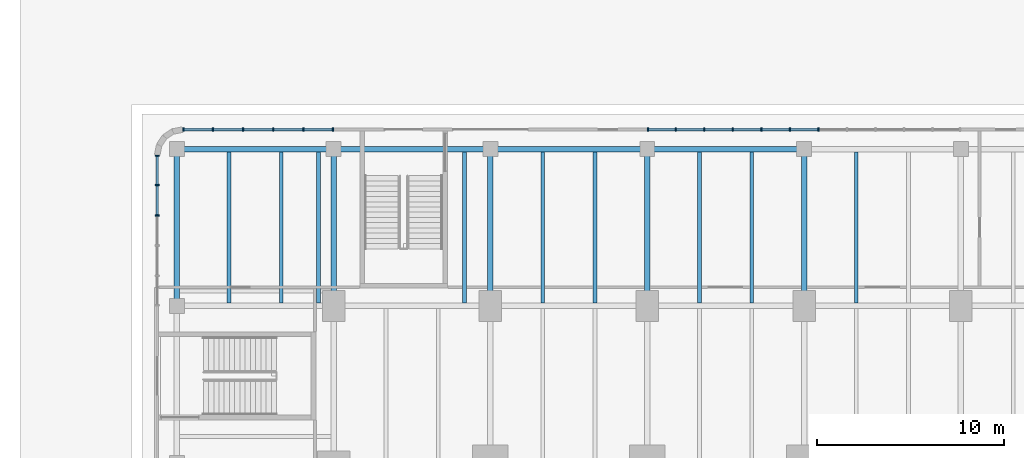
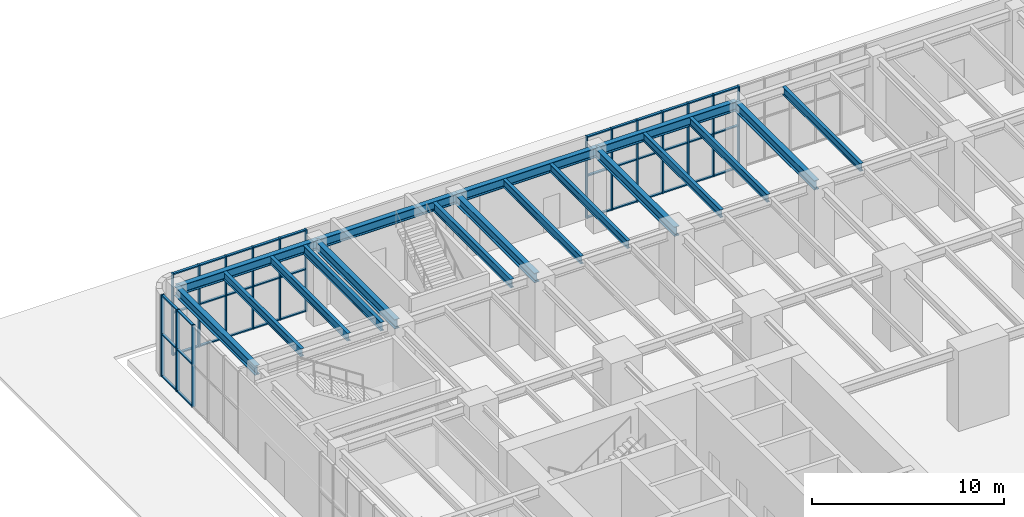
# One storey, part 11 of 31: 55 members, 18 beams, 3 elements without a shape of their own.
"""IFC4 building model written with IfcOpenShell, lengths in metres."""

from ifc_helpers import new_model, si_unit, direction, frame, origin, origin_2d, place, context, subcontext, project, spatial, rectangle, i_section, extrude, material, material_profile, profile_set, type_object, element, aggregate, save


model = new_model("IFC4")

# Units and contexts
model_context = context("Model", 3, precision=1e-05, world=origin(), true_north=direction((0.0, 1.0)))
body_context = subcontext(model_context, "Body", "Model", "MODEL_VIEW")
ifc_project = project(units=[si_unit("LENGTHUNIT", "METRE"), si_unit("AREAUNIT", "SQUARE_METRE"), si_unit("VOLUMEUNIT", "CUBIC_METRE"), si_unit("PLANEANGLEUNIT", "RADIAN"), si_unit("MASSUNIT", "GRAM", prefix="KILO")], contexts=[model_context])

# Site, building, storey
site_placement = place(None, origin())
site = spatial("IfcSite", under=ifc_project, at=site_placement, CompositionType="ELEMENT")
building_placement = place(site_placement, origin())
building = spatial("IfcBuilding", under=site, at=building_placement, Name="Claustro Exchange Tower", CompositionType="ELEMENT")
storey_placement = place(building_placement, origin())
storey = spatial("IfcBuildingStorey", under=building, at=storey_placement, Name="L00", CompositionType="ELEMENT", Elevation=0.0)

# Beams
ifc_material_1 = material(Name="Steel S355", Category="steel")
ifc_material_profile_1 = material_profile(ifc_material_1, i_section(OverallWidth=0.300048828125, OverallDepth=0.60009765625, WebThickness=0.015380859375, FlangeThickness=0.030029296875, FilletRadius=0.027099609375, at=origin_2d()), Name="HE 600 B")
ifc_profile_set_1 = profile_set([ifc_material_profile_1], Name="Steel S355")
beam_type_1 = type_object("IfcBeamType", Name="B1 HE 600 B floor girder", PredefinedType="BEAM", material=ifc_profile_set_1)
for number, where, z_axis, x_axis, name in (
    (1, (-8.39990234375, 50.39990234375, 4.89990234375), (0.0, 1.0, 0.0), (-1.0, 0.0, 0.0), "Beam B1 L01"),
    (2, (0.0, 50.39990234375, 4.89990234375), (0.0, 1.0, 0.0), (-1.0, 0.0, 0.0), "Beam B1 L01"),
    (3, (8.39990234375, 50.39990234375, 4.89990234375), (0.0, 1.0, 0.0), (-1.0, 0.0, 0.0), "Beam B1 L01"),
    (4, (16.800048828125, 50.39990234375, 4.89990234375), (0.0, 1.0, 0.0), (-1.0, 0.0, 0.0), "Beam B1 L01"),
    (5, (25.199951171875, 50.39990234375, 4.89990234375), (0.0, 1.0, 0.0), (-1.0, 0.0, 0.0), "Beam B1 L01"),
):
    element("IfcBeam", number, at=place(storey_placement, frame(where, z_axis=z_axis, x_axis=x_axis)), inside=storey, type_object=beam_type_1, Name=name, PredefinedType="BEAM", context=body_context, shape_type="SweptSolid", body=[
        extrude(i_section(OverallWidth=0.300048828125, OverallDepth=0.60009765625, WebThickness=0.015380859375, FlangeThickness=0.030029296875, FilletRadius=0.027099609375, at=origin_2d()), origin(), (0.0, 0.0, 1.0), 8.400146484375),
    ])
for number, where, z_axis, x_axis, name in (
    (6, (-8.39990234375, 58.800048828125, 4.89990234375), (1.0, 0.0, 0.0), (0.0, 1.0, 0.0), "Beam B1 L01"),
    (7, (0.0, 58.800048828125, 4.89990234375), (1.0, 0.0, 0.0), (0.0, 1.0, 0.0), "Beam B1 L01"),
):
    element("IfcBeam", number, at=place(storey_placement, frame(where, z_axis=z_axis, x_axis=x_axis)), inside=storey, type_object=beam_type_1, Name=name, PredefinedType="BEAM", context=body_context, shape_type="SweptSolid", body=[
        extrude(i_section(OverallWidth=0.300048828125, OverallDepth=0.60009765625, WebThickness=0.015380859375, FlangeThickness=0.030029296875, FilletRadius=0.027099609375, at=origin_2d()), origin(), (0.0, 0.0, 1.0), 8.39990234375),
    ])
beam_1_placement = place(storey_placement, frame((8.39990234375, 58.800048828125, 4.89990234375), z_axis=(1.0, 0.0, 0.0), x_axis=(0.0, 1.0, 0.0)))
element("IfcBeam", 8, at=beam_1_placement, inside=storey, type_object=beam_type_1, Name="Beam B1 L01", PredefinedType="BEAM", context=body_context, shape_type="SweptSolid", body=[
    extrude(i_section(OverallWidth=0.300048828125, OverallDepth=0.60009765625, WebThickness=0.015380859375, FlangeThickness=0.030029296875, FilletRadius=0.027099609375, at=origin_2d()), origin(), (0.0, 0.0, 1.0), 8.400146484375),
])
beam_2_placement = place(storey_placement, frame((16.800048828125, 58.800048828125, 4.89990234375), z_axis=(1.0, 0.0, 0.0), x_axis=(0.0, 1.0, 0.0)))
element("IfcBeam", 9, at=beam_2_placement, inside=storey, type_object=beam_type_1, Name="Beam B1 L01", PredefinedType="BEAM", context=body_context, shape_type="SweptSolid", body=[
    extrude(i_section(OverallWidth=0.300048828125, OverallDepth=0.60009765625, WebThickness=0.015380859375, FlangeThickness=0.030029296875, FilletRadius=0.027099609375, at=origin_2d()), origin(), (0.0, 0.0, 1.0), 8.39990234375),
])
ifc_material_2 = material(Name="Steel S355", Category="steel")
ifc_material_profile_2 = material_profile(ifc_material_2, i_section(OverallWidth=0.199951171875, OverallDepth=0.5, WebThickness=0.01025390625, FlangeThickness=0.01611328125, FilletRadius=0.02099609375, at=origin_2d()), Name="IPE 500")
ifc_profile_set_2 = profile_set([ifc_material_profile_2], Name="Steel S355")
beam_type_2 = type_object("IfcBeamType", Name="B2 IPE 500 secondary beam", PredefinedType="BEAM", material=ifc_profile_set_2)
for number, where, z_axis, x_axis, name in (
    (10, (-5.60009765625, 50.550048828125, 4.949951171875), (0.0, 1.0, 0.0), (-1.0, 0.0, 0.0), "Beam B2 L01"),
    (11, (-2.800048828125, 50.550048828125, 4.949951171875), (0.0, 1.0, 0.0), (-1.0, 0.0, 0.0), "Beam B2 L01"),
    (12, (11.199951171875, 50.550048828125, 4.949951171875), (0.0, 1.0, 0.0), (-1.0, 0.0, 0.0), "Beam B2 L01"),
    (13, (14.0, 50.550048828125, 4.949951171875), (0.0, 1.0, 0.0), (-1.0, 0.0, 0.0), "Beam B2 L01"),
    (14, (19.60009765625, 50.550048828125, 4.949951171875), (0.0, 1.0, 0.0), (-1.0, 0.0, 0.0), "Beam B2 L01"),
    (15, (22.39990234375, 50.550048828125, 4.949951171875), (0.0, 1.0, 0.0), (-1.0, 0.0, 0.0), "Beam B2 L01"),
    (16, (28.0, 50.550048828125, 4.949951171875), (0.0, 1.0, 0.0), (-1.0, 0.0, 0.0), "Beam B2 L01"),
):
    element("IfcBeam", number, at=place(storey_placement, frame(where, z_axis=z_axis, x_axis=x_axis)), inside=storey, type_object=beam_type_2, Name=name, PredefinedType="BEAM", context=body_context, shape_type="SweptSolid", body=[
        extrude(i_section(OverallWidth=0.199951171875, OverallDepth=0.5, WebThickness=0.01025390625, FlangeThickness=0.01611328125, FilletRadius=0.02099609375, at=origin_2d()), origin(), (0.0, 0.0, 1.0), 8.099853515625),
    ])
ifc_material_3 = material(Name="Steel S355", Category="steel")
ifc_material_profile_3 = material_profile(ifc_material_3, i_section(OverallWidth=0.2099609375, OverallDepth=0.550048828125, WebThickness=0.010986328125, FlangeThickness=0.01708984375, FilletRadius=0.02392578125, at=origin_2d()), Name="IPE 550")
ifc_profile_set_3 = profile_set([ifc_material_profile_3], Name="Steel S355")
beam_type_3 = type_object("IfcBeamType", Name="B28 IPE 550 podium stair trimmer", PredefinedType="BEAM", material=ifc_profile_set_3)
for number, where, z_axis, x_axis, name in (
    (17, (7.0, 50.550048828125, 4.925048828125), (0.0, 1.0, 0.0), (-1.0, 0.0, 0.0), "Beam B28 trimmer STP3 L01"),
    (18, (-0.800048828125, 50.550048828125, 4.925048828125), (0.0, 1.0, 0.0), (-1.0, 0.0, 0.0), "Beam B28 trimmer STP3 L01"),
):
    element("IfcBeam", number, at=place(storey_placement, frame(where, z_axis=z_axis, x_axis=x_axis)), inside=storey, type_object=beam_type_3, Name=name, PredefinedType="BEAM", context=body_context, shape_type="SweptSolid", body=[
        extrude(i_section(OverallWidth=0.2099609375, OverallDepth=0.550048828125, WebThickness=0.010986328125, FlangeThickness=0.01708984375, FilletRadius=0.02392578125, at=origin_2d()), origin(), (0.0, 0.0, 1.0), 8.099853515625),
    ])

# Curtain wall, members
ifc_material_4 = material(Name="Aluminium frame, clear double glazing", Category="aluminium")
curtain_wall_type = type_object("IfcCurtainWallType", Name="CW1 storefront curtain wall", PredefinedType="USERDEFINED", material=ifc_material_4)
curtain_wall_1_placement = place(storey_placement, origin())
curtain_wall_1 = element("IfcCurtainWall", 19, at=curtain_wall_1_placement, inside=storey, type_object=curtain_wall_type, Name="Curtain wall CW1 L00", ObjectType="STICK CURTAIN WALL", PredefinedType="USERDEFINED")
ifc_material_5 = material(Name="Aluminium mullion", Category="aluminium")
ifc_material_profile_4 = material_profile(ifc_material_5, rectangle(XDim=0.199951171875, YDim=0.074951171875, at=origin_2d()), Name="CW1-M 75x200")
ifc_profile_set_4 = profile_set([ifc_material_profile_4], Name="Aluminium mullion")
member_type_1 = type_object("IfcMemberType", Name="CW1-M 75 x 200 mullion", PredefinedType="MULLION", material=ifc_profile_set_4)
member_1_placement = place(storey_placement, frame((-9.449951171875, 55.251220703125, 0.0), z_axis=(0.0, 0.0, 1.0), x_axis=(-1.0, 0.0, 0.0)))
member_1 = element("IfcMember", 20, at=member_1_placement, type_object=member_type_1, Name="CW1 mullion 4", PredefinedType="MULLION", context=body_context, shape_type="SweptSolid", body=[
    extrude(rectangle(XDim=0.199951171875, YDim=0.074951171875, at=origin_2d()), origin(), (0.0, 0.0, 1.0), 5.199951171875),
])
member_2_placement = place(storey_placement, frame((-9.449951171875, 56.8681640625, 0.0), z_axis=(0.0, 0.0, 1.0), x_axis=(-1.0, 0.0, 0.0)))
member_2 = element("IfcMember", 21, at=member_2_placement, type_object=member_type_1, Name="CW1 mullion 5", PredefinedType="MULLION", context=body_context, shape_type="SweptSolid", body=[
    extrude(rectangle(XDim=0.199951171875, YDim=0.074951171875, at=origin_2d()), origin(), (0.0, 0.0, 1.0), 5.199951171875),
])
member_3_placement = place(storey_placement, frame((-9.449951171875, 58.44775390625, 0.0), z_axis=(0.0, 0.0, 1.0), x_axis=(-1.0, 0.0, 0.0)))
member_3 = element("IfcMember", 22, at=member_3_placement, type_object=member_type_1, Name="CW1 mullion 6", PredefinedType="MULLION", context=body_context, shape_type="SweptSolid", body=[
    extrude(rectangle(XDim=0.199951171875, YDim=0.074951171875, at=origin_2d()), origin(), (0.0, 0.0, 1.0), 5.199951171875),
])

curtain_wall_2_placement = place(storey_placement, origin())
curtain_wall_2 = element("IfcCurtainWall", 23, at=curtain_wall_2_placement, inside=storey, type_object=curtain_wall_type, Name="Curtain wall CW1 L00", ObjectType="STICK CURTAIN WALL", PredefinedType="USERDEFINED")
member_4_placement = place(storey_placement, frame((-8.047607421875, 59.85009765625, 0.0), z_axis=(0.0, 0.0, 1.0), x_axis=(0.0, 1.0, 0.0)))
member_4 = element("IfcMember", 24, at=member_4_placement, type_object=member_type_1, Name="CW1 mullion 1", PredefinedType="MULLION", context=body_context, shape_type="SweptSolid", body=[
    extrude(rectangle(XDim=0.199951171875, YDim=0.074951171875, at=origin_2d()), origin(), (0.0, 0.0, 1.0), 5.199951171875),
])
member_5_placement = place(storey_placement, frame((-6.46826171875, 59.85009765625, 0.0), z_axis=(0.0, 0.0, 1.0), x_axis=(0.0, 1.0, 0.0)))
member_5 = element("IfcMember", 25, at=member_5_placement, type_object=member_type_1, Name="CW1 mullion 2", PredefinedType="MULLION", context=body_context, shape_type="SweptSolid", body=[
    extrude(rectangle(XDim=0.199951171875, YDim=0.074951171875, at=origin_2d()), origin(), (0.0, 0.0, 1.0), 5.199951171875),
])
member_6_placement = place(storey_placement, frame((-4.85107421875, 59.85009765625, 0.0), z_axis=(0.0, 0.0, 1.0), x_axis=(0.0, 1.0, 0.0)))
member_6 = element("IfcMember", 26, at=member_6_placement, type_object=member_type_1, Name="CW1 mullion 3", PredefinedType="MULLION", context=body_context, shape_type="SweptSolid", body=[
    extrude(rectangle(XDim=0.199951171875, YDim=0.074951171875, at=origin_2d()), origin(), (0.0, 0.0, 1.0), 5.199951171875),
])
member_7_placement = place(storey_placement, frame((-3.234130859375, 59.85009765625, 0.0), z_axis=(0.0, 0.0, 1.0), x_axis=(0.0, 1.0, 0.0)))
member_7 = element("IfcMember", 27, at=member_7_placement, type_object=member_type_1, Name="CW1 mullion 4", PredefinedType="MULLION", context=body_context, shape_type="SweptSolid", body=[
    extrude(rectangle(XDim=0.199951171875, YDim=0.074951171875, at=origin_2d()), origin(), (0.0, 0.0, 1.0), 5.199951171875),
])
member_8_placement = place(storey_placement, frame((-1.616943359375, 59.85009765625, 0.0), z_axis=(0.0, 0.0, 1.0), x_axis=(0.0, 1.0, 0.0)))
member_8 = element("IfcMember", 28, at=member_8_placement, type_object=member_type_1, Name="CW1 mullion 5", PredefinedType="MULLION", context=body_context, shape_type="SweptSolid", body=[
    extrude(rectangle(XDim=0.199951171875, YDim=0.074951171875, at=origin_2d()), origin(), (0.0, 0.0, 1.0), 5.199951171875),
])
member_9_placement = place(storey_placement, frame((-0.03759765625, 59.85009765625, 0.0), z_axis=(0.0, 0.0, 1.0), x_axis=(0.0, 1.0, 0.0)))
member_9 = element("IfcMember", 29, at=member_9_placement, type_object=member_type_1, Name="CW1 mullion 6", PredefinedType="MULLION", context=body_context, shape_type="SweptSolid", body=[
    extrude(rectangle(XDim=0.199951171875, YDim=0.074951171875, at=origin_2d()), origin(), (0.0, 0.0, 1.0), 5.199951171875),
])

curtain_wall_3_placement = place(storey_placement, origin())
curtain_wall_3 = element("IfcCurtainWall", 30, at=curtain_wall_3_placement, inside=storey, type_object=curtain_wall_type, Name="Curtain wall CW1 L00", ObjectType="STICK CURTAIN WALL", PredefinedType="USERDEFINED")
member_10_placement = place(storey_placement, frame((16.83740234375, 59.85009765625, 0.0), z_axis=(0.0, 0.0, 1.0), x_axis=(0.0, 1.0, 0.0)))
member_10 = element("IfcMember", 31, at=member_10_placement, type_object=member_type_1, Name="CW1 mullion 1", PredefinedType="MULLION", context=body_context, shape_type="SweptSolid", body=[
    extrude(rectangle(XDim=0.199951171875, YDim=0.074951171875, at=origin_2d()), origin(), (0.0, 0.0, 1.0), 5.199951171875),
])
member_11_placement = place(storey_placement, frame((18.327392578125, 59.85009765625, 0.0), z_axis=(0.0, 0.0, 1.0), x_axis=(0.0, 1.0, 0.0)))
member_11 = element("IfcMember", 32, at=member_11_placement, type_object=member_type_1, Name="CW1 mullion 2", PredefinedType="MULLION", context=body_context, shape_type="SweptSolid", body=[
    extrude(rectangle(XDim=0.199951171875, YDim=0.074951171875, at=origin_2d()), origin(), (0.0, 0.0, 1.0), 5.199951171875),
])
member_12_placement = place(storey_placement, frame((19.8544921875, 59.85009765625, 0.0), z_axis=(0.0, 0.0, 1.0), x_axis=(0.0, 1.0, 0.0)))
member_12 = element("IfcMember", 33, at=member_12_placement, type_object=member_type_1, Name="CW1 mullion 3", PredefinedType="MULLION", context=body_context, shape_type="SweptSolid", body=[
    extrude(rectangle(XDim=0.199951171875, YDim=0.074951171875, at=origin_2d()), origin(), (0.0, 0.0, 1.0), 5.199951171875),
])
member_13_placement = place(storey_placement, frame((21.3818359375, 59.85009765625, 0.0), z_axis=(0.0, 0.0, 1.0), x_axis=(0.0, 1.0, 0.0)))
member_13 = element("IfcMember", 34, at=member_13_placement, type_object=member_type_1, Name="CW1 mullion 4", PredefinedType="MULLION", context=body_context, shape_type="SweptSolid", body=[
    extrude(rectangle(XDim=0.199951171875, YDim=0.074951171875, at=origin_2d()), origin(), (0.0, 0.0, 1.0), 5.199951171875),
])
member_14_placement = place(storey_placement, frame((22.9091796875, 59.85009765625, 0.0), z_axis=(0.0, 0.0, 1.0), x_axis=(0.0, 1.0, 0.0)))
member_14 = element("IfcMember", 35, at=member_14_placement, type_object=member_type_1, Name="CW1 mullion 5", PredefinedType="MULLION", context=body_context, shape_type="SweptSolid", body=[
    extrude(rectangle(XDim=0.199951171875, YDim=0.074951171875, at=origin_2d()), origin(), (0.0, 0.0, 1.0), 5.199951171875),
])
member_15_placement = place(storey_placement, frame((24.436279296875, 59.85009765625, 0.0), z_axis=(0.0, 0.0, 1.0), x_axis=(0.0, 1.0, 0.0)))
member_15 = element("IfcMember", 36, at=member_15_placement, type_object=member_type_1, Name="CW1 mullion 6", PredefinedType="MULLION", context=body_context, shape_type="SweptSolid", body=[
    extrude(rectangle(XDim=0.199951171875, YDim=0.074951171875, at=origin_2d()), origin(), (0.0, 0.0, 1.0), 5.199951171875),
])
member_16_placement = place(storey_placement, frame((25.963623046875, 59.85009765625, 0.0), z_axis=(0.0, 0.0, 1.0), x_axis=(0.0, 1.0, 0.0)))
member_16 = element("IfcMember", 37, at=member_16_placement, type_object=member_type_1, Name="CW1 mullion 7", PredefinedType="MULLION", context=body_context, shape_type="SweptSolid", body=[
    extrude(rectangle(XDim=0.199951171875, YDim=0.074951171875, at=origin_2d()), origin(), (0.0, 0.0, 1.0), 5.199951171875),
])

# Member
ifc_material_6 = material(Name="Aluminium transom", Category="aluminium")
ifc_material_profile_5 = material_profile(ifc_material_6, rectangle(XDim=0.14990234375, YDim=0.074951171875, at=origin_2d()), Name="CW1-T 75x150")
ifc_profile_set_5 = profile_set([ifc_material_profile_5], Name="Aluminium transom")
member_type_2 = type_object("IfcMemberType", Name="CW1-T 75 x 150 transom", PredefinedType="USERDEFINED", material=ifc_profile_set_5)
member_17_placement = place(storey_placement, frame((-9.449951171875, 55.28857421875, 0.03759765625), z_axis=(0.0, 1.0, 0.0), x_axis=(-1.0, 0.0, 0.0)))
member_17 = element("IfcMember", 38, at=member_17_placement, type_object=member_type_2, Name="CW1 transom 4.1", ObjectType="TRANSOM", PredefinedType="USERDEFINED", context=body_context, shape_type="SweptSolid", body=[
    extrude(rectangle(XDim=0.14990234375, YDim=0.074951171875, at=origin_2d()), origin(), (0.0, 0.0, 1.0), 1.5419921875),
])

member_18_placement = place(storey_placement, frame((-9.449951171875, 55.28857421875, 2.699951171875), z_axis=(0.0, 1.0, 0.0), x_axis=(-1.0, 0.0, 0.0)))
member_18 = element("IfcMember", 39, at=member_18_placement, type_object=member_type_2, Name="CW1 transom 4.2", ObjectType="TRANSOM", PredefinedType="USERDEFINED", context=body_context, shape_type="SweptSolid", body=[
    extrude(rectangle(XDim=0.14990234375, YDim=0.074951171875, at=origin_2d()), origin(), (0.0, 0.0, 1.0), 1.5419921875),
])

member_19_placement = place(storey_placement, frame((-9.449951171875, 55.28857421875, 5.16259765625), z_axis=(0.0, 1.0, 0.0), x_axis=(-1.0, 0.0, 0.0)))
member_19 = element("IfcMember", 40, at=member_19_placement, type_object=member_type_2, Name="CW1 transom 4.3", ObjectType="TRANSOM", PredefinedType="USERDEFINED", context=body_context, shape_type="SweptSolid", body=[
    extrude(rectangle(XDim=0.14990234375, YDim=0.074951171875, at=origin_2d()), origin(), (0.0, 0.0, 1.0), 1.5419921875),
])

member_20_placement = place(storey_placement, frame((-9.449951171875, 56.90576171875, 0.03759765625), z_axis=(0.0, 1.0, 0.0), x_axis=(-1.0, 0.0, 0.0)))
member_20 = element("IfcMember", 41, at=member_20_placement, type_object=member_type_2, Name="CW1 transom 5.1", ObjectType="TRANSOM", PredefinedType="USERDEFINED", context=body_context, shape_type="SweptSolid", body=[
    extrude(rectangle(XDim=0.14990234375, YDim=0.074951171875, at=origin_2d()), origin(), (0.0, 0.0, 1.0), 1.50439453125),
])

member_21_placement = place(storey_placement, frame((-9.449951171875, 56.90576171875, 2.699951171875), z_axis=(0.0, 1.0, 0.0), x_axis=(-1.0, 0.0, 0.0)))
member_21 = element("IfcMember", 42, at=member_21_placement, type_object=member_type_2, Name="CW1 transom 5.2", ObjectType="TRANSOM", PredefinedType="USERDEFINED", context=body_context, shape_type="SweptSolid", body=[
    extrude(rectangle(XDim=0.14990234375, YDim=0.074951171875, at=origin_2d()), origin(), (0.0, 0.0, 1.0), 1.50439453125),
])

member_22_placement = place(storey_placement, frame((-9.449951171875, 56.90576171875, 5.16259765625), z_axis=(0.0, 1.0, 0.0), x_axis=(-1.0, 0.0, 0.0)))
member_22 = element("IfcMember", 43, at=member_22_placement, type_object=member_type_2, Name="CW1 transom 5.3", ObjectType="TRANSOM", PredefinedType="USERDEFINED", context=body_context, shape_type="SweptSolid", body=[
    extrude(rectangle(XDim=0.14990234375, YDim=0.074951171875, at=origin_2d()), origin(), (0.0, 0.0, 1.0), 1.50439453125),
])

aggregate(curtain_wall_1, [member_1, member_2, member_3, member_17, member_18, member_19, member_20, member_21, member_22])

member_23_placement = place(storey_placement, frame((-8.01025390625, 59.85009765625, 0.03759765625), z_axis=(1.0, 0.0, 0.0), x_axis=(0.0, 1.0, 0.0)))
member_23 = element("IfcMember", 44, at=member_23_placement, type_object=member_type_2, Name="CW1 transom 1.1", ObjectType="TRANSOM", PredefinedType="USERDEFINED", context=body_context, shape_type="SweptSolid", body=[
    extrude(rectangle(XDim=0.14990234375, YDim=0.074951171875, at=origin_2d()), origin(), (0.0, 0.0, 1.0), 1.504638671875),
])

member_24_placement = place(storey_placement, frame((-8.01025390625, 59.85009765625, 2.699951171875), z_axis=(1.0, 0.0, 0.0), x_axis=(0.0, 1.0, 0.0)))
member_24 = element("IfcMember", 45, at=member_24_placement, type_object=member_type_2, Name="CW1 transom 1.2", ObjectType="TRANSOM", PredefinedType="USERDEFINED", context=body_context, shape_type="SweptSolid", body=[
    extrude(rectangle(XDim=0.14990234375, YDim=0.074951171875, at=origin_2d()), origin(), (0.0, 0.0, 1.0), 1.504638671875),
])

member_25_placement = place(storey_placement, frame((-8.01025390625, 59.85009765625, 5.16259765625), z_axis=(1.0, 0.0, 0.0), x_axis=(0.0, 1.0, 0.0)))
member_25 = element("IfcMember", 46, at=member_25_placement, type_object=member_type_2, Name="CW1 transom 1.3", ObjectType="TRANSOM", PredefinedType="USERDEFINED", context=body_context, shape_type="SweptSolid", body=[
    extrude(rectangle(XDim=0.14990234375, YDim=0.074951171875, at=origin_2d()), origin(), (0.0, 0.0, 1.0), 1.504638671875),
])

member_26_placement = place(storey_placement, frame((-6.4306640625, 59.85009765625, 0.03759765625), z_axis=(1.0, 0.0, 0.0), x_axis=(0.0, 1.0, 0.0)))
member_26 = element("IfcMember", 47, at=member_26_placement, type_object=member_type_2, Name="CW1 transom 2.1", ObjectType="TRANSOM", PredefinedType="USERDEFINED", context=body_context, shape_type="SweptSolid", body=[
    extrude(rectangle(XDim=0.14990234375, YDim=0.074951171875, at=origin_2d()), origin(), (0.0, 0.0, 1.0), 1.5419921875),
])

member_27_placement = place(storey_placement, frame((-6.4306640625, 59.85009765625, 2.699951171875), z_axis=(1.0, 0.0, 0.0), x_axis=(0.0, 1.0, 0.0)))
member_27 = element("IfcMember", 48, at=member_27_placement, type_object=member_type_2, Name="CW1 transom 2.2", ObjectType="TRANSOM", PredefinedType="USERDEFINED", context=body_context, shape_type="SweptSolid", body=[
    extrude(rectangle(XDim=0.14990234375, YDim=0.074951171875, at=origin_2d()), origin(), (0.0, 0.0, 1.0), 1.5419921875),
])

member_28_placement = place(storey_placement, frame((-6.4306640625, 59.85009765625, 5.16259765625), z_axis=(1.0, 0.0, 0.0), x_axis=(0.0, 1.0, 0.0)))
member_28 = element("IfcMember", 49, at=member_28_placement, type_object=member_type_2, Name="CW1 transom 2.3", ObjectType="TRANSOM", PredefinedType="USERDEFINED", context=body_context, shape_type="SweptSolid", body=[
    extrude(rectangle(XDim=0.14990234375, YDim=0.074951171875, at=origin_2d()), origin(), (0.0, 0.0, 1.0), 1.5419921875),
])

member_29_placement = place(storey_placement, frame((-4.813720703125, 59.85009765625, 0.03759765625), z_axis=(1.0, 0.0, 0.0), x_axis=(0.0, 1.0, 0.0)))
member_29 = element("IfcMember", 50, at=member_29_placement, type_object=member_type_2, Name="CW1 transom 3.1", ObjectType="TRANSOM", PredefinedType="USERDEFINED", context=body_context, shape_type="SweptSolid", body=[
    extrude(rectangle(XDim=0.14990234375, YDim=0.074951171875, at=origin_2d()), origin(), (0.0, 0.0, 1.0), 1.542236328125),
])

member_30_placement = place(storey_placement, frame((-4.813720703125, 59.85009765625, 2.699951171875), z_axis=(1.0, 0.0, 0.0), x_axis=(0.0, 1.0, 0.0)))
member_30 = element("IfcMember", 51, at=member_30_placement, type_object=member_type_2, Name="CW1 transom 3.2", ObjectType="TRANSOM", PredefinedType="USERDEFINED", context=body_context, shape_type="SweptSolid", body=[
    extrude(rectangle(XDim=0.14990234375, YDim=0.074951171875, at=origin_2d()), origin(), (0.0, 0.0, 1.0), 1.542236328125),
])

member_31_placement = place(storey_placement, frame((-4.813720703125, 59.85009765625, 5.16259765625), z_axis=(1.0, 0.0, 0.0), x_axis=(0.0, 1.0, 0.0)))
member_31 = element("IfcMember", 52, at=member_31_placement, type_object=member_type_2, Name="CW1 transom 3.3", ObjectType="TRANSOM", PredefinedType="USERDEFINED", context=body_context, shape_type="SweptSolid", body=[
    extrude(rectangle(XDim=0.14990234375, YDim=0.074951171875, at=origin_2d()), origin(), (0.0, 0.0, 1.0), 1.542236328125),
])

member_32_placement = place(storey_placement, frame((-3.196533203125, 59.85009765625, 0.03759765625), z_axis=(1.0, 0.0, 0.0), x_axis=(0.0, 1.0, 0.0)))
member_32 = element("IfcMember", 53, at=member_32_placement, type_object=member_type_2, Name="CW1 transom 4.1", ObjectType="TRANSOM", PredefinedType="USERDEFINED", context=body_context, shape_type="SweptSolid", body=[
    extrude(rectangle(XDim=0.14990234375, YDim=0.074951171875, at=origin_2d()), origin(), (0.0, 0.0, 1.0), 1.5419921875),
])

member_33_placement = place(storey_placement, frame((-3.196533203125, 59.85009765625, 2.699951171875), z_axis=(1.0, 0.0, 0.0), x_axis=(0.0, 1.0, 0.0)))
member_33 = element("IfcMember", 54, at=member_33_placement, type_object=member_type_2, Name="CW1 transom 4.2", ObjectType="TRANSOM", PredefinedType="USERDEFINED", context=body_context, shape_type="SweptSolid", body=[
    extrude(rectangle(XDim=0.14990234375, YDim=0.074951171875, at=origin_2d()), origin(), (0.0, 0.0, 1.0), 1.5419921875),
])

member_34_placement = place(storey_placement, frame((-3.196533203125, 59.85009765625, 5.16259765625), z_axis=(1.0, 0.0, 0.0), x_axis=(0.0, 1.0, 0.0)))
member_34 = element("IfcMember", 55, at=member_34_placement, type_object=member_type_2, Name="CW1 transom 4.3", ObjectType="TRANSOM", PredefinedType="USERDEFINED", context=body_context, shape_type="SweptSolid", body=[
    extrude(rectangle(XDim=0.14990234375, YDim=0.074951171875, at=origin_2d()), origin(), (0.0, 0.0, 1.0), 1.5419921875),
])

member_35_placement = place(storey_placement, frame((-1.57958984375, 59.85009765625, 0.03759765625), z_axis=(1.0, 0.0, 0.0), x_axis=(0.0, 1.0, 0.0)))
member_35 = element("IfcMember", 56, at=member_35_placement, type_object=member_type_2, Name="CW1 transom 5.1", ObjectType="TRANSOM", PredefinedType="USERDEFINED", context=body_context, shape_type="SweptSolid", body=[
    extrude(rectangle(XDim=0.14990234375, YDim=0.074951171875, at=origin_2d()), origin(), (0.0, 0.0, 1.0), 1.504638671875),
])

member_36_placement = place(storey_placement, frame((-1.57958984375, 59.85009765625, 2.699951171875), z_axis=(1.0, 0.0, 0.0), x_axis=(0.0, 1.0, 0.0)))
member_36 = element("IfcMember", 57, at=member_36_placement, type_object=member_type_2, Name="CW1 transom 5.2", ObjectType="TRANSOM", PredefinedType="USERDEFINED", context=body_context, shape_type="SweptSolid", body=[
    extrude(rectangle(XDim=0.14990234375, YDim=0.074951171875, at=origin_2d()), origin(), (0.0, 0.0, 1.0), 1.504638671875),
])

member_37_placement = place(storey_placement, frame((-1.57958984375, 59.85009765625, 5.16259765625), z_axis=(1.0, 0.0, 0.0), x_axis=(0.0, 1.0, 0.0)))
member_37 = element("IfcMember", 58, at=member_37_placement, type_object=member_type_2, Name="CW1 transom 5.3", ObjectType="TRANSOM", PredefinedType="USERDEFINED", context=body_context, shape_type="SweptSolid", body=[
    extrude(rectangle(XDim=0.14990234375, YDim=0.074951171875, at=origin_2d()), origin(), (0.0, 0.0, 1.0), 1.504638671875),
])

aggregate(curtain_wall_2, [member_4, member_5, member_6, member_7, member_8, member_9, member_23, member_24, member_25, member_26, member_27, member_28, member_29, member_30, member_31, member_32, member_33, member_34, member_35, member_36, member_37])

member_38_placement = place(storey_placement, frame((16.875, 59.85009765625, 0.03759765625), z_axis=(1.0, 0.0, 0.0), x_axis=(0.0, 1.0, 0.0)))
member_38 = element("IfcMember", 59, at=member_38_placement, type_object=member_type_2, Name="CW1 transom 1.1", ObjectType="TRANSOM", PredefinedType="USERDEFINED", context=body_context, shape_type="SweptSolid", body=[
    extrude(rectangle(XDim=0.14990234375, YDim=0.074951171875, at=origin_2d()), origin(), (0.0, 0.0, 1.0), 1.414794921875),
])

member_39_placement = place(storey_placement, frame((16.875, 59.85009765625, 2.699951171875), z_axis=(1.0, 0.0, 0.0), x_axis=(0.0, 1.0, 0.0)))
member_39 = element("IfcMember", 60, at=member_39_placement, type_object=member_type_2, Name="CW1 transom 1.2", ObjectType="TRANSOM", PredefinedType="USERDEFINED", context=body_context, shape_type="SweptSolid", body=[
    extrude(rectangle(XDim=0.14990234375, YDim=0.074951171875, at=origin_2d()), origin(), (0.0, 0.0, 1.0), 1.414794921875),
])

member_40_placement = place(storey_placement, frame((16.875, 59.85009765625, 5.16259765625), z_axis=(1.0, 0.0, 0.0), x_axis=(0.0, 1.0, 0.0)))
member_40 = element("IfcMember", 61, at=member_40_placement, type_object=member_type_2, Name="CW1 transom 1.3", ObjectType="TRANSOM", PredefinedType="USERDEFINED", context=body_context, shape_type="SweptSolid", body=[
    extrude(rectangle(XDim=0.14990234375, YDim=0.074951171875, at=origin_2d()), origin(), (0.0, 0.0, 1.0), 1.414794921875),
])

member_41_placement = place(storey_placement, frame((18.36474609375, 59.85009765625, 0.03759765625), z_axis=(1.0, 0.0, 0.0), x_axis=(0.0, 1.0, 0.0)))
member_41 = element("IfcMember", 62, at=member_41_placement, type_object=member_type_2, Name="CW1 transom 2.1", ObjectType="TRANSOM", PredefinedType="USERDEFINED", context=body_context, shape_type="SweptSolid", body=[
    extrude(rectangle(XDim=0.14990234375, YDim=0.074951171875, at=origin_2d()), origin(), (0.0, 0.0, 1.0), 1.452392578125),
])

member_42_placement = place(storey_placement, frame((18.36474609375, 59.85009765625, 2.699951171875), z_axis=(1.0, 0.0, 0.0), x_axis=(0.0, 1.0, 0.0)))
member_42 = element("IfcMember", 63, at=member_42_placement, type_object=member_type_2, Name="CW1 transom 2.2", ObjectType="TRANSOM", PredefinedType="USERDEFINED", context=body_context, shape_type="SweptSolid", body=[
    extrude(rectangle(XDim=0.14990234375, YDim=0.074951171875, at=origin_2d()), origin(), (0.0, 0.0, 1.0), 1.452392578125),
])

member_43_placement = place(storey_placement, frame((18.36474609375, 59.85009765625, 5.16259765625), z_axis=(1.0, 0.0, 0.0), x_axis=(0.0, 1.0, 0.0)))
member_43 = element("IfcMember", 64, at=member_43_placement, type_object=member_type_2, Name="CW1 transom 2.3", ObjectType="TRANSOM", PredefinedType="USERDEFINED", context=body_context, shape_type="SweptSolid", body=[
    extrude(rectangle(XDim=0.14990234375, YDim=0.074951171875, at=origin_2d()), origin(), (0.0, 0.0, 1.0), 1.452392578125),
])

member_44_placement = place(storey_placement, frame((19.89208984375, 59.85009765625, 0.03759765625), z_axis=(1.0, 0.0, 0.0), x_axis=(0.0, 1.0, 0.0)))
member_44 = element("IfcMember", 65, at=member_44_placement, type_object=member_type_2, Name="CW1 transom 3.1", ObjectType="TRANSOM", PredefinedType="USERDEFINED", context=body_context, shape_type="SweptSolid", body=[
    extrude(rectangle(XDim=0.14990234375, YDim=0.074951171875, at=origin_2d()), origin(), (0.0, 0.0, 1.0), 1.4521484375),
])

member_45_placement = place(storey_placement, frame((19.89208984375, 59.85009765625, 2.699951171875), z_axis=(1.0, 0.0, 0.0), x_axis=(0.0, 1.0, 0.0)))
member_45 = element("IfcMember", 66, at=member_45_placement, type_object=member_type_2, Name="CW1 transom 3.2", ObjectType="TRANSOM", PredefinedType="USERDEFINED", context=body_context, shape_type="SweptSolid", body=[
    extrude(rectangle(XDim=0.14990234375, YDim=0.074951171875, at=origin_2d()), origin(), (0.0, 0.0, 1.0), 1.4521484375),
])

member_46_placement = place(storey_placement, frame((19.89208984375, 59.85009765625, 5.16259765625), z_axis=(1.0, 0.0, 0.0), x_axis=(0.0, 1.0, 0.0)))
member_46 = element("IfcMember", 67, at=member_46_placement, type_object=member_type_2, Name="CW1 transom 3.3", ObjectType="TRANSOM", PredefinedType="USERDEFINED", context=body_context, shape_type="SweptSolid", body=[
    extrude(rectangle(XDim=0.14990234375, YDim=0.074951171875, at=origin_2d()), origin(), (0.0, 0.0, 1.0), 1.4521484375),
])

member_47_placement = place(storey_placement, frame((21.41943359375, 59.85009765625, 0.03759765625), z_axis=(1.0, 0.0, 0.0), x_axis=(0.0, 1.0, 0.0)))
member_47 = element("IfcMember", 68, at=member_47_placement, type_object=member_type_2, Name="CW1 transom 4.1", ObjectType="TRANSOM", PredefinedType="USERDEFINED", context=body_context, shape_type="SweptSolid", body=[
    extrude(rectangle(XDim=0.14990234375, YDim=0.074951171875, at=origin_2d()), origin(), (0.0, 0.0, 1.0), 1.4521484375),
])

member_48_placement = place(storey_placement, frame((21.41943359375, 59.85009765625, 2.699951171875), z_axis=(1.0, 0.0, 0.0), x_axis=(0.0, 1.0, 0.0)))
member_48 = element("IfcMember", 69, at=member_48_placement, type_object=member_type_2, Name="CW1 transom 4.2", ObjectType="TRANSOM", PredefinedType="USERDEFINED", context=body_context, shape_type="SweptSolid", body=[
    extrude(rectangle(XDim=0.14990234375, YDim=0.074951171875, at=origin_2d()), origin(), (0.0, 0.0, 1.0), 1.4521484375),
])

member_49_placement = place(storey_placement, frame((21.41943359375, 59.85009765625, 5.16259765625), z_axis=(1.0, 0.0, 0.0), x_axis=(0.0, 1.0, 0.0)))
member_49 = element("IfcMember", 70, at=member_49_placement, type_object=member_type_2, Name="CW1 transom 4.3", ObjectType="TRANSOM", PredefinedType="USERDEFINED", context=body_context, shape_type="SweptSolid", body=[
    extrude(rectangle(XDim=0.14990234375, YDim=0.074951171875, at=origin_2d()), origin(), (0.0, 0.0, 1.0), 1.4521484375),
])

member_50_placement = place(storey_placement, frame((22.946533203125, 59.85009765625, 0.03759765625), z_axis=(1.0, 0.0, 0.0), x_axis=(0.0, 1.0, 0.0)))
member_50 = element("IfcMember", 71, at=member_50_placement, type_object=member_type_2, Name="CW1 transom 5.1", ObjectType="TRANSOM", PredefinedType="USERDEFINED", context=body_context, shape_type="SweptSolid", body=[
    extrude(rectangle(XDim=0.14990234375, YDim=0.074951171875, at=origin_2d()), origin(), (0.0, 0.0, 1.0), 1.452392578125),
])

member_51_placement = place(storey_placement, frame((22.946533203125, 59.85009765625, 2.699951171875), z_axis=(1.0, 0.0, 0.0), x_axis=(0.0, 1.0, 0.0)))
member_51 = element("IfcMember", 72, at=member_51_placement, type_object=member_type_2, Name="CW1 transom 5.2", ObjectType="TRANSOM", PredefinedType="USERDEFINED", context=body_context, shape_type="SweptSolid", body=[
    extrude(rectangle(XDim=0.14990234375, YDim=0.074951171875, at=origin_2d()), origin(), (0.0, 0.0, 1.0), 1.452392578125),
])

member_52_placement = place(storey_placement, frame((22.946533203125, 59.85009765625, 5.16259765625), z_axis=(1.0, 0.0, 0.0), x_axis=(0.0, 1.0, 0.0)))
member_52 = element("IfcMember", 73, at=member_52_placement, type_object=member_type_2, Name="CW1 transom 5.3", ObjectType="TRANSOM", PredefinedType="USERDEFINED", context=body_context, shape_type="SweptSolid", body=[
    extrude(rectangle(XDim=0.14990234375, YDim=0.074951171875, at=origin_2d()), origin(), (0.0, 0.0, 1.0), 1.452392578125),
])

member_53_placement = place(storey_placement, frame((24.473876953125, 59.85009765625, 0.03759765625), z_axis=(1.0, 0.0, 0.0), x_axis=(0.0, 1.0, 0.0)))
member_53 = element("IfcMember", 74, at=member_53_placement, type_object=member_type_2, Name="CW1 transom 6.1", ObjectType="TRANSOM", PredefinedType="USERDEFINED", context=body_context, shape_type="SweptSolid", body=[
    extrude(rectangle(XDim=0.14990234375, YDim=0.074951171875, at=origin_2d()), origin(), (0.0, 0.0, 1.0), 1.4521484375),
])

member_54_placement = place(storey_placement, frame((24.473876953125, 59.85009765625, 2.699951171875), z_axis=(1.0, 0.0, 0.0), x_axis=(0.0, 1.0, 0.0)))
member_54 = element("IfcMember", 75, at=member_54_placement, type_object=member_type_2, Name="CW1 transom 6.2", ObjectType="TRANSOM", PredefinedType="USERDEFINED", context=body_context, shape_type="SweptSolid", body=[
    extrude(rectangle(XDim=0.14990234375, YDim=0.074951171875, at=origin_2d()), origin(), (0.0, 0.0, 1.0), 1.4521484375),
])

member_55_placement = place(storey_placement, frame((24.473876953125, 59.85009765625, 5.16259765625), z_axis=(1.0, 0.0, 0.0), x_axis=(0.0, 1.0, 0.0)))
member_55 = element("IfcMember", 76, at=member_55_placement, type_object=member_type_2, Name="CW1 transom 6.3", ObjectType="TRANSOM", PredefinedType="USERDEFINED", context=body_context, shape_type="SweptSolid", body=[
    extrude(rectangle(XDim=0.14990234375, YDim=0.074951171875, at=origin_2d()), origin(), (0.0, 0.0, 1.0), 1.4521484375),
])

aggregate(curtain_wall_3, [member_10, member_11, member_12, member_13, member_14, member_15, member_16, member_38, member_39, member_40, member_41, member_42, member_43, member_44, member_45, member_46, member_47, member_48, member_49, member_50, member_51, member_52, member_53, member_54, member_55])

save(model, "model.ifc")
